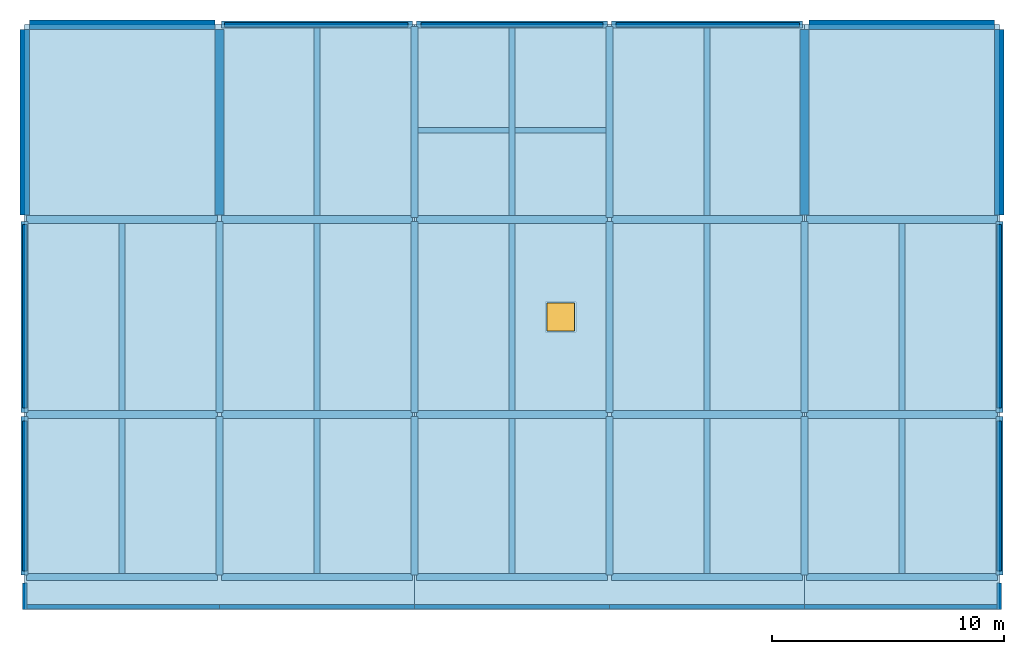
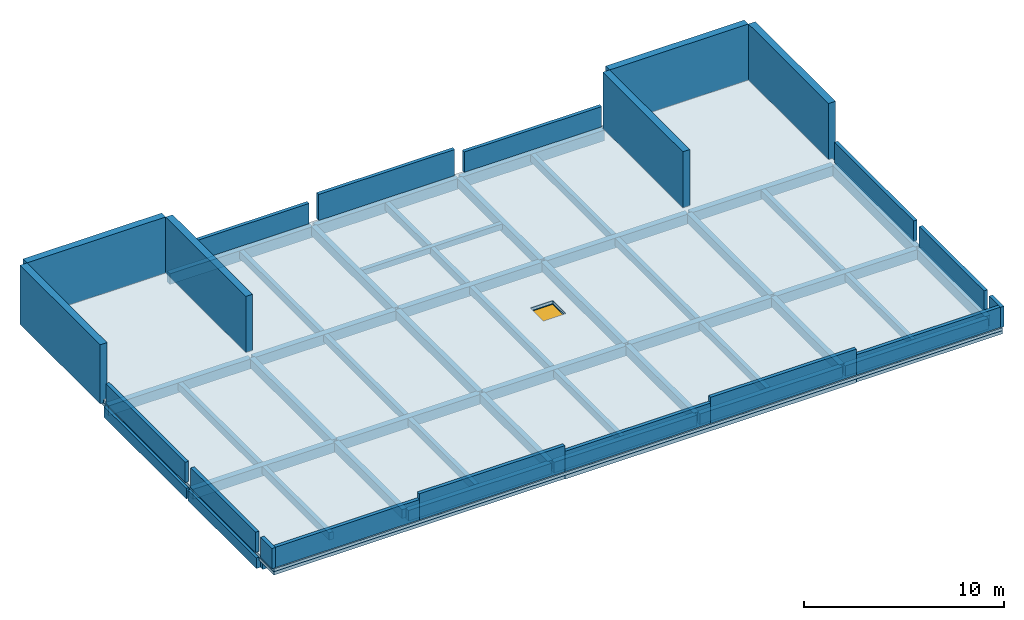
"""IFC4 building model written with IfcOpenShell, lengths in metres."""

from ifc_helpers import new_model, si_unit, direction, frame, frame_2d, origin, origin_2d, place, context, subcontext, project, spatial, polyline, rectangle, outline, extrude, material, layer, layer_set, material_profile, profile_set, type_object, element, fill, save


model = new_model("IFC4")

# Units and contexts
model_context = context("Model", 3, precision=1e-05, world=origin(), true_north=direction((0.0, 1.0)))
body_context = subcontext(model_context, "Body", "Model", "MODEL_VIEW")
ifc_project = project(units=[si_unit("LENGTHUNIT", "METRE"), si_unit("AREAUNIT", "SQUARE_METRE"), si_unit("VOLUMEUNIT", "CUBIC_METRE"), si_unit("PLANEANGLEUNIT", "RADIAN"), si_unit("MASSUNIT", "GRAM", prefix="KILO")], contexts=[model_context])

# Site, building, storey
site_placement = place(None, origin())
site = spatial("IfcSite", under=ifc_project, at=site_placement, CompositionType="ELEMENT")
building_placement = place(site_placement, origin())
building = spatial("IfcBuilding", under=site, at=building_placement, Name="Telukmera Botanical Conservatory", CompositionType="ELEMENT")
storey_1_placement = place(building_placement, frame((0.0, 0.0, 78.0)))
storey_1 = spatial("IfcBuildingStorey", under=building, at=storey_1_placement, Name="ROOF", CompositionType="ELEMENT", Elevation=78.0)

# Beams
ifc_material_1 = material(Name="Concrete C40/50", Category="concrete")
ifc_material_profile_1 = material_profile(ifc_material_1, rectangle(XDim=0.300048828125, YDim=0.550048828125, at=origin_2d()), Name="RC 300x550")
ifc_profile_set_1 = profile_set([ifc_material_profile_1], Name="Concrete C40/50")
beam_type_1 = type_object("IfcBeamType", Name="Beam_B10", PredefinedType="BEAM", material=ifc_profile_set_1)
beam_1_placement = place(storey_1_placement, frame((67.199951171875, 10.679931640625, -0.27490234375), z_axis=(0.0, 1.0, 0.0), x_axis=(-1.0, 0.0, 0.0)))
element("IfcBeam", 1, at=beam_1_placement, inside=storey_1, type_object=beam_type_1, Name="Tower Transverse Beam ROOF", PredefinedType="BEAM", context=body_context, shape_type="SweptSolid", body=[
    extrude(rectangle(XDim=0.300048828125, YDim=0.550048828125, at=origin_2d()), origin(), (0.0, 0.0, 1.0), 6.840087890625),
])
beam_2_placement = place(storey_1_placement, frame((67.199951171875, 17.679931640625, -0.27490234375), z_axis=(0.0, 1.0, 0.0), x_axis=(-1.0, 0.0, 0.0)))
element("IfcBeam", 2, at=beam_2_placement, inside=storey_1, type_object=beam_type_1, Name="Tower Transverse Beam ROOF", PredefinedType="BEAM", context=body_context, shape_type="SweptSolid", body=[
    extrude(rectangle(XDim=0.300048828125, YDim=0.550048828125, at=origin_2d()), origin(), (0.0, 0.0, 1.0), 8.239990234375),
])
beam_3_placement = place(storey_1_placement, frame((75.60009765625, 10.679931640625, -0.27490234375), z_axis=(0.0, 1.0, 0.0), x_axis=(-1.0, 0.0, 0.0)))
element("IfcBeam", 3, at=beam_3_placement, inside=storey_1, type_object=beam_type_1, Name="Tower Transverse Beam ROOF", PredefinedType="BEAM", context=body_context, shape_type="SweptSolid", body=[
    extrude(rectangle(XDim=0.300048828125, YDim=0.550048828125, at=origin_2d()), origin(), (0.0, 0.0, 1.0), 6.840087890625),
])
for number, where, z_axis, x_axis, name in (
    (4, (75.60009765625, 17.679931640625, -0.27490234375), (0.0, 1.0, 0.0), (-1.0, 0.0, 0.0), "Tower Transverse Beam ROOF"),
    (5, (75.60009765625, 26.080078125, -0.27490234375), (0.0, 1.0, 0.0), (-1.0, 0.0, 0.0), "Tower Transverse Beam ROOF"),
):
    element("IfcBeam", number, at=place(storey_1_placement, frame(where, z_axis=z_axis, x_axis=x_axis)), inside=storey_1, type_object=beam_type_1, Name=name, PredefinedType="BEAM", context=body_context, shape_type="SweptSolid", body=[
        extrude(rectangle(XDim=0.300048828125, YDim=0.550048828125, at=origin_2d()), origin(), (0.0, 0.0, 1.0), 8.239990234375),
    ])
beam_4_placement = place(storey_1_placement, frame((84.0, 10.679931640625, -0.27490234375), z_axis=(0.0, 1.0, 0.0), x_axis=(-1.0, 0.0, 0.0)))
element("IfcBeam", 6, at=beam_4_placement, inside=storey_1, type_object=beam_type_1, Name="Tower Transverse Beam ROOF", PredefinedType="BEAM", context=body_context, shape_type="SweptSolid", body=[
    extrude(rectangle(XDim=0.300048828125, YDim=0.550048828125, at=origin_2d()), origin(), (0.0, 0.0, 1.0), 6.840087890625),
])
for number, where, z_axis, x_axis, name in (
    (7, (84.0, 17.679931640625, -0.27490234375), (0.0, 1.0, 0.0), (-1.0, 0.0, 0.0), "Tower Transverse Beam ROOF"),
    (8, (84.0, 26.080078125, -0.27490234375), (0.0, 1.0, 0.0), (-1.0, 0.0, 0.0), "Tower Transverse Beam ROOF"),
):
    element("IfcBeam", number, at=place(storey_1_placement, frame(where, z_axis=z_axis, x_axis=x_axis)), inside=storey_1, type_object=beam_type_1, Name=name, PredefinedType="BEAM", context=body_context, shape_type="SweptSolid", body=[
        extrude(rectangle(XDim=0.300048828125, YDim=0.550048828125, at=origin_2d()), origin(), (0.0, 0.0, 1.0), 8.239990234375),
    ])
beam_5_placement = place(storey_1_placement, frame((92.39990234375, 10.679931640625, -0.27490234375), z_axis=(0.0, 1.0, 0.0), x_axis=(-1.0, 0.0, 0.0)))
element("IfcBeam", 9, at=beam_5_placement, inside=storey_1, type_object=beam_type_1, Name="Tower Transverse Beam ROOF", PredefinedType="BEAM", context=body_context, shape_type="SweptSolid", body=[
    extrude(rectangle(XDim=0.300048828125, YDim=0.550048828125, at=origin_2d()), origin(), (0.0, 0.0, 1.0), 6.840087890625),
])
beam_6_placement = place(storey_1_placement, frame((92.39990234375, 17.679931640625, -0.27490234375), z_axis=(0.0, 1.0, 0.0), x_axis=(-1.0, 0.0, 0.0)))
element("IfcBeam", 10, at=beam_6_placement, inside=storey_1, type_object=beam_type_1, Name="Tower Transverse Beam ROOF", PredefinedType="BEAM", context=body_context, shape_type="SweptSolid", body=[
    extrude(rectangle(XDim=0.300048828125, YDim=0.550048828125, at=origin_2d()), origin(), (0.0, 0.0, 1.0), 8.239990234375),
])
ifc_material_profile_2 = material_profile(ifc_material_1, rectangle(XDim=0.25, YDim=0.449951171875, at=origin_2d()), Name="RC 250x450")
ifc_profile_set_2 = profile_set([ifc_material_profile_2], Name="Concrete C40/50")
beam_type_2 = type_object("IfcBeamType", Name="Beam_B27", PredefinedType="JOIST", material=ifc_profile_set_2)
beam_7_placement = place(storey_1_placement, frame((63.0, 10.75, -0.22509765625), z_axis=(0.0, 1.0, 0.0), x_axis=(-1.0, 0.0, 0.0)))
element("IfcBeam", 11, at=beam_7_placement, inside=storey_1, type_object=beam_type_2, Name="Tower Secondary Floor Joist ROOF", PredefinedType="JOIST", context=body_context, shape_type="SweptSolid", body=[
    extrude(rectangle(XDim=0.25, YDim=0.449951171875, at=origin_2d()), origin(), (0.0, 0.0, 1.0), 6.675048828125),
])
beam_8_placement = place(storey_1_placement, frame((63.0, 17.77490234375, -0.22509765625), z_axis=(0.0, 1.0, 0.0), x_axis=(-1.0, 0.0, 0.0)))
element("IfcBeam", 12, at=beam_8_placement, inside=storey_1, type_object=beam_type_2, Name="Tower Secondary Floor Joist ROOF", PredefinedType="JOIST", context=body_context, shape_type="SweptSolid", body=[
    extrude(rectangle(XDim=0.25, YDim=0.449951171875, at=origin_2d()), origin(), (0.0, 0.0, 1.0), 8.050048828125),
])
beam_9_placement = place(storey_1_placement, frame((71.39990234375, 10.75, -0.22509765625), z_axis=(0.0, 1.0, 0.0), x_axis=(-1.0, 0.0, 0.0)))
element("IfcBeam", 13, at=beam_9_placement, inside=storey_1, type_object=beam_type_2, Name="Tower Secondary Floor Joist ROOF", PredefinedType="JOIST", context=body_context, shape_type="SweptSolid", body=[
    extrude(rectangle(XDim=0.25, YDim=0.449951171875, at=origin_2d()), origin(), (0.0, 0.0, 1.0), 6.675048828125),
])
beam_10_placement = place(storey_1_placement, frame((71.39990234375, 17.77490234375, -0.22509765625), z_axis=(0.0, 1.0, 0.0), x_axis=(-1.0, 0.0, 0.0)))
element("IfcBeam", 14, at=beam_10_placement, inside=storey_1, type_object=beam_type_2, Name="Tower Secondary Floor Joist ROOF", PredefinedType="JOIST", context=body_context, shape_type="SweptSolid", body=[
    extrude(rectangle(XDim=0.25, YDim=0.449951171875, at=origin_2d()), origin(), (0.0, 0.0, 1.0), 8.050048828125),
])
beam_11_placement = place(storey_1_placement, frame((71.39990234375, 26.175048828125, -0.22509765625), z_axis=(0.0, 1.0, 0.0), x_axis=(-1.0, 0.0, 0.0)))
element("IfcBeam", 15, at=beam_11_placement, inside=storey_1, type_object=beam_type_2, Name="Tower Secondary Floor Joist ROOF", PredefinedType="JOIST", context=body_context, shape_type="SweptSolid", body=[
    extrude(rectangle(XDim=0.25, YDim=0.449951171875, at=origin_2d()), origin(), (0.0, 0.0, 1.0), 8.074951171875),
])
beam_12_placement = place(storey_1_placement, frame((79.800048828125, 10.75, -0.22509765625), z_axis=(0.0, 1.0, 0.0), x_axis=(-1.0, 0.0, 0.0)))
element("IfcBeam", 16, at=beam_12_placement, inside=storey_1, type_object=beam_type_2, Name="Tower Secondary Floor Joist ROOF", PredefinedType="JOIST", context=body_context, shape_type="SweptSolid", body=[
    extrude(rectangle(XDim=0.25, YDim=0.449951171875, at=origin_2d()), origin(), (0.0, 0.0, 1.0), 6.675048828125),
])
beam_13_placement = place(storey_1_placement, frame((79.800048828125, 17.77490234375, -0.22509765625), z_axis=(0.0, 1.0, 0.0), x_axis=(-1.0, 0.0, 0.0)))
element("IfcBeam", 17, at=beam_13_placement, inside=storey_1, type_object=beam_type_2, Name="Tower Secondary Floor Joist ROOF", PredefinedType="JOIST", context=body_context, shape_type="SweptSolid", body=[
    extrude(rectangle(XDim=0.25, YDim=0.449951171875, at=origin_2d()), origin(), (0.0, 0.0, 1.0), 8.050048828125),
])
beam_14_placement = place(storey_1_placement, frame((79.800048828125, 26.175048828125, -0.22509765625), z_axis=(0.0, 1.0, 0.0), x_axis=(-1.0, 0.0, 0.0)))
element("IfcBeam", 18, at=beam_14_placement, inside=storey_1, type_object=beam_type_2, Name="Tower Secondary Floor Joist ROOF", PredefinedType="JOIST", context=body_context, shape_type="SweptSolid", body=[
    extrude(rectangle(XDim=0.25, YDim=0.449951171875, at=origin_2d()), origin(), (0.0, 0.0, 1.0), 8.074951171875),
])
beam_15_placement = place(storey_1_placement, frame((88.199951171875, 10.75, -0.22509765625), z_axis=(0.0, 1.0, 0.0), x_axis=(-1.0, 0.0, 0.0)))
element("IfcBeam", 19, at=beam_15_placement, inside=storey_1, type_object=beam_type_2, Name="Tower Secondary Floor Joist ROOF", PredefinedType="JOIST", context=body_context, shape_type="SweptSolid", body=[
    extrude(rectangle(XDim=0.25, YDim=0.449951171875, at=origin_2d()), origin(), (0.0, 0.0, 1.0), 6.675048828125),
])
beam_16_placement = place(storey_1_placement, frame((88.199951171875, 17.77490234375, -0.22509765625), z_axis=(0.0, 1.0, 0.0), x_axis=(-1.0, 0.0, 0.0)))
element("IfcBeam", 20, at=beam_16_placement, inside=storey_1, type_object=beam_type_2, Name="Tower Secondary Floor Joist ROOF", PredefinedType="JOIST", context=body_context, shape_type="SweptSolid", body=[
    extrude(rectangle(XDim=0.25, YDim=0.449951171875, at=origin_2d()), origin(), (0.0, 0.0, 1.0), 8.050048828125),
])
beam_17_placement = place(storey_1_placement, frame((88.199951171875, 26.175048828125, -0.22509765625), z_axis=(0.0, 1.0, 0.0), x_axis=(-1.0, 0.0, 0.0)))
element("IfcBeam", 21, at=beam_17_placement, inside=storey_1, type_object=beam_type_2, Name="Tower Secondary Floor Joist ROOF", PredefinedType="JOIST", context=body_context, shape_type="SweptSolid", body=[
    extrude(rectangle(XDim=0.25, YDim=0.449951171875, at=origin_2d()), origin(), (0.0, 0.0, 1.0), 8.074951171875),
])
beam_18_placement = place(storey_1_placement, frame((96.60009765625, 10.75, -0.22509765625), z_axis=(0.0, 1.0, 0.0), x_axis=(-1.0, 0.0, 0.0)))
element("IfcBeam", 22, at=beam_18_placement, inside=storey_1, type_object=beam_type_2, Name="Tower Secondary Floor Joist ROOF", PredefinedType="JOIST", context=body_context, shape_type="SweptSolid", body=[
    extrude(rectangle(XDim=0.25, YDim=0.449951171875, at=origin_2d()), origin(), (0.0, 0.0, 1.0), 6.675048828125),
])
beam_19_placement = place(storey_1_placement, frame((96.60009765625, 17.77490234375, -0.22509765625), z_axis=(0.0, 1.0, 0.0), x_axis=(-1.0, 0.0, 0.0)))
element("IfcBeam", 23, at=beam_19_placement, inside=storey_1, type_object=beam_type_2, Name="Tower Secondary Floor Joist ROOF", PredefinedType="JOIST", context=body_context, shape_type="SweptSolid", body=[
    extrude(rectangle(XDim=0.25, YDim=0.449951171875, at=origin_2d()), origin(), (0.0, 0.0, 1.0), 8.050048828125),
])
ifc_material_profile_3 = material_profile(ifc_material_1, rectangle(XDim=0.35009765625, YDim=0.60009765625, at=origin_2d()), Name="RC 350x600")
ifc_profile_set_3 = profile_set([ifc_material_profile_3], Name="Concrete C40/50")
beam_type_3 = type_object("IfcBeamType", Name="Beam_B9", PredefinedType="BEAM", material=ifc_profile_set_3)
beam_20_placement = place(storey_1_placement, frame((58.8798828125, 17.60009765625, -0.300048828125), z_axis=(1.0, 0.0, 0.0), x_axis=(0.0, 1.0, 0.0)))
element("IfcBeam", 24, at=beam_20_placement, inside=storey_1, type_object=beam_type_3, Name="Tower Grid Beam ROOF", PredefinedType="BEAM", context=body_context, shape_type="SweptSolid", body=[
    extrude(rectangle(XDim=0.35009765625, YDim=0.60009765625, at=origin_2d()), origin(), (0.0, 0.0, 1.0), 8.240234375),
])
for number, where, z_axis, x_axis, name in (
    (25, (67.280029296875, 17.60009765625, -0.300048828125), (1.0, 0.0, 0.0), (0.0, 1.0, 0.0), "Tower Grid Beam ROOF"),
    (26, (75.679931640625, 17.60009765625, -0.300048828125), (1.0, 0.0, 0.0), (0.0, 1.0, 0.0), "Tower Grid Beam ROOF"),
    (27, (84.080078125, 17.60009765625, -0.300048828125), (1.0, 0.0, 0.0), (0.0, 1.0, 0.0), "Tower Grid Beam ROOF"),
    (28, (92.47998046875, 17.60009765625, -0.300048828125), (1.0, 0.0, 0.0), (0.0, 1.0, 0.0), "Tower Grid Beam ROOF"),
):
    element("IfcBeam", number, at=place(storey_1_placement, frame(where, z_axis=z_axis, x_axis=x_axis)), inside=storey_1, type_object=beam_type_3, Name=name, PredefinedType="BEAM", context=body_context, shape_type="SweptSolid", body=[
        extrude(rectangle(XDim=0.35009765625, YDim=0.60009765625, at=origin_2d()), origin(), (0.0, 0.0, 1.0), 8.239990234375),
    ])
beam_21_placement = place(storey_1_placement, frame((58.8798828125, 26.0, -0.300048828125), z_axis=(1.0, 0.0, 0.0), x_axis=(0.0, 1.0, 0.0)))
element("IfcBeam", 29, at=beam_21_placement, inside=storey_1, type_object=beam_type_3, Name="Tower Grid Beam ROOF", PredefinedType="BEAM", context=body_context, shape_type="SweptSolid", body=[
    extrude(rectangle(XDim=0.35009765625, YDim=0.60009765625, at=origin_2d()), origin(), (0.0, 0.0, 1.0), 8.240234375),
])
for number, where, z_axis, x_axis, name in (
    (30, (67.280029296875, 26.0, -0.300048828125), (1.0, 0.0, 0.0), (0.0, 1.0, 0.0), "Tower Grid Beam ROOF"),
    (31, (75.679931640625, 26.0, -0.300048828125), (1.0, 0.0, 0.0), (0.0, 1.0, 0.0), "Tower Grid Beam ROOF"),
    (32, (84.080078125, 26.0, -0.300048828125), (1.0, 0.0, 0.0), (0.0, 1.0, 0.0), "Tower Grid Beam ROOF"),
    (33, (92.47998046875, 26.0, -0.300048828125), (1.0, 0.0, 0.0), (0.0, 1.0, 0.0), "Tower Grid Beam ROOF"),
):
    element("IfcBeam", number, at=place(storey_1_placement, frame(where, z_axis=z_axis, x_axis=x_axis)), inside=storey_1, type_object=beam_type_3, Name=name, PredefinedType="BEAM", context=body_context, shape_type="SweptSolid", body=[
        extrude(rectangle(XDim=0.35009765625, YDim=0.60009765625, at=origin_2d()), origin(), (0.0, 0.0, 1.0), 8.239990234375),
    ])
ifc_material_2 = material(Name="Precast concrete C40/50", Category="concrete")
ifc_material_profile_4 = material_profile(ifc_material_2, rectangle(XDim=0.25, YDim=0.35009765625, at=origin_2d()), Name="PC 250x350")
ifc_profile_set_4 = profile_set([ifc_material_profile_4], Name="Precast concrete C40/50")
beam_type_4 = type_object("IfcBeamType", Name="Beam_LN2", PredefinedType="LINTEL", material=ifc_profile_set_4)
beam_22_placement = place(storey_1_placement, frame((75.75, 29.85009765625, -0.175048828125), z_axis=(1.0, 0.0, 0.0), x_axis=(0.0, 1.0, 0.0)))
element("IfcBeam", 34, at=beam_22_placement, inside=storey_1, type_object=beam_type_4, Name="Tower Lift Bank Header Lintel ROOF", PredefinedType="LINTEL", context=body_context, shape_type="SweptSolid", body=[
    extrude(rectangle(XDim=0.25, YDim=0.35009765625, at=origin_2d()), origin(), (0.0, 0.0, 1.0), 8.10009765625),
])
ifc_material_profile_5 = material_profile(ifc_material_2, rectangle(XDim=0.300048828125, YDim=0.64990234375, at=origin_2d()), Name="PC 300x650")
ifc_profile_set_5 = profile_set([ifc_material_profile_5], Name="Precast concrete C40/50")
beam_type_5 = type_object("IfcBeamType", Name="Beam_SP4", PredefinedType="SPANDREL", material=ifc_profile_set_5)
beam_23_placement = place(storey_1_placement, frame((58.8798828125, 10.60009765625, -0.324951171875), z_axis=(1.0, 0.0, 0.0), x_axis=(0.0, 1.0, 0.0)))
element("IfcBeam", 35, at=beam_23_placement, inside=storey_1, type_object=beam_type_5, Name="Tower Grid Beam ROOF", PredefinedType="SPANDREL", context=body_context, shape_type="SweptSolid", body=[
    extrude(rectangle(XDim=0.300048828125, YDim=0.64990234375, at=origin_2d()), origin(), (0.0, 0.0, 1.0), 8.240234375),
])
for number, where, z_axis, x_axis, name in (
    (36, (67.280029296875, 10.60009765625, -0.324951171875), (1.0, 0.0, 0.0), (0.0, 1.0, 0.0), "Tower Grid Beam ROOF"),
    (37, (75.679931640625, 10.60009765625, -0.324951171875), (1.0, 0.0, 0.0), (0.0, 1.0, 0.0), "Tower Grid Beam ROOF"),
    (38, (84.080078125, 10.60009765625, -0.324951171875), (1.0, 0.0, 0.0), (0.0, 1.0, 0.0), "Tower Grid Beam ROOF"),
    (39, (92.47998046875, 10.60009765625, -0.324951171875), (1.0, 0.0, 0.0), (0.0, 1.0, 0.0), "Tower Grid Beam ROOF"),
    (40, (67.280029296875, 34.39990234375, -0.324951171875), (1.0, 0.0, 0.0), (0.0, 1.0, 0.0), "Tower Grid Beam ROOF"),
    (41, (75.679931640625, 34.39990234375, -0.324951171875), (1.0, 0.0, 0.0), (0.0, 1.0, 0.0), "Tower Grid Beam ROOF"),
    (42, (84.080078125, 34.39990234375, -0.324951171875), (1.0, 0.0, 0.0), (0.0, 1.0, 0.0), "Tower Grid Beam ROOF"),
):
    element("IfcBeam", number, at=place(storey_1_placement, frame(where, z_axis=z_axis, x_axis=x_axis)), inside=storey_1, type_object=beam_type_5, Name=name, PredefinedType="SPANDREL", context=body_context, shape_type="SweptSolid", body=[
        extrude(rectangle(XDim=0.300048828125, YDim=0.64990234375, at=origin_2d()), origin(), (0.0, 0.0, 1.0), 8.239990234375),
    ])
beam_24_placement = place(storey_1_placement, frame((58.800048828125, 10.679931640625, -0.324951171875), z_axis=(0.0, 1.0, 0.0), x_axis=(-1.0, 0.0, 0.0)))
element("IfcBeam", 43, at=beam_24_placement, inside=storey_1, type_object=beam_type_5, Name="Tower Transverse Beam ROOF", PredefinedType="SPANDREL", context=body_context, shape_type="SweptSolid", body=[
    extrude(rectangle(XDim=0.300048828125, YDim=0.64990234375, at=origin_2d()), origin(), (0.0, 0.0, 1.0), 6.840087890625),
])
beam_25_placement = place(storey_1_placement, frame((58.800048828125, 17.679931640625, -0.324951171875), z_axis=(0.0, 1.0, 0.0), x_axis=(-1.0, 0.0, 0.0)))
element("IfcBeam", 44, at=beam_25_placement, inside=storey_1, type_object=beam_type_5, Name="Tower Transverse Beam ROOF", PredefinedType="SPANDREL", context=body_context, shape_type="SweptSolid", body=[
    extrude(rectangle(XDim=0.300048828125, YDim=0.64990234375, at=origin_2d()), origin(), (0.0, 0.0, 1.0), 8.239990234375),
])
beam_26_placement = place(storey_1_placement, frame((100.800048828125, 10.679931640625, -0.324951171875), z_axis=(0.0, 1.0, 0.0), x_axis=(-1.0, 0.0, 0.0)))
element("IfcBeam", 45, at=beam_26_placement, inside=storey_1, type_object=beam_type_5, Name="Tower Transverse Beam ROOF", PredefinedType="SPANDREL", context=body_context, shape_type="SweptSolid", body=[
    extrude(rectangle(XDim=0.300048828125, YDim=0.64990234375, at=origin_2d()), origin(), (0.0, 0.0, 1.0), 6.840087890625),
])
beam_27_placement = place(storey_1_placement, frame((100.800048828125, 17.679931640625, -0.324951171875), z_axis=(0.0, 1.0, 0.0), x_axis=(-1.0, 0.0, 0.0)))
element("IfcBeam", 46, at=beam_27_placement, inside=storey_1, type_object=beam_type_5, Name="Tower Transverse Beam ROOF", PredefinedType="SPANDREL", context=body_context, shape_type="SweptSolid", body=[
    extrude(rectangle(XDim=0.300048828125, YDim=0.64990234375, at=origin_2d()), origin(), (0.0, 0.0, 1.0), 8.239990234375),
])

# Slabs
ifc_layer_1 = layer(ifc_material_1, 0.199951171875)
ifc_layer_set_1 = layer_set([ifc_layer_1], Name="Concrete C40/50")
slab_type_1 = type_object("IfcSlabType", Name="Slab_RS20", PredefinedType="ROOF", material=ifc_layer_set_1)
slab_1_placement = place(storey_1_placement, frame((0.0, 0.0, -0.199951171875)))
element("IfcSlab", 47, at=slab_1_placement, inside=storey_1, type_object=slab_type_1, Name="Tower Main Roof Slab (WEST)", PredefinedType="ROOF", context=body_context, shape_type="SweptSolid", body=[
    extrude(outline(polyline([(58.800048828125, 9.199951171875), (75.60009765625, 9.199951171875), (75.60009765625, 34.39990234375), (58.800048828125, 34.39990234375), (58.800048828125, 9.199951171875)])), origin(), (0.0, 0.0, 1.0), 0.199951171875),
])
slab_2_placement = place(storey_1_placement, frame((0.0, 0.0, -0.199951171875)))
element("IfcSlab", 48, at=slab_2_placement, inside=storey_1, type_object=slab_type_1, Name="Tower Main Roof Slab (EAST)", PredefinedType="ROOF", context=body_context, shape_type="SweptSolid", body=[
    extrude(outline(polyline([(92.39990234375, 9.199951171875), (100.800048828125, 9.199951171875), (100.800048828125, 34.39990234375), (92.39990234375, 34.39990234375), (92.39990234375, 9.199951171875)])), origin(), (0.0, 0.0, 1.0), 0.199951171875),
])

# Slab, opening
ifc_layer_2 = layer(ifc_material_1, 0.22998046875)
ifc_layer_set_2 = layer_set([ifc_layer_2], Name="Concrete C40/50")
slab_type_2 = type_object("IfcSlabType", Name="Slab_RS23", PredefinedType="ROOF", material=ifc_layer_set_2)
slab_3_placement = place(storey_1_placement, frame((0.0, 0.0, -0.22998046875)))
slab_3 = element("IfcSlab", 49, at=slab_3_placement, inside=storey_1, type_object=slab_type_2, Name="Tower Main Roof Slab (CENT)", PredefinedType="ROOF", context=body_context, shape_type="SweptSolid", body=[
    extrude(outline(polyline([(75.60009765625, 9.199951171875), (92.39990234375, 9.199951171875), (92.39990234375, 34.39990234375), (75.60009765625, 34.39990234375), (75.60009765625, 9.199951171875)])), origin(), (0.0, 0.0, 1.0), 0.22998046875),
])
opening_placement = place(slab_3_placement, frame((81.89990234375, 21.800048828125, 0.0)))
opening = element("IfcOpeningElement", 50, at=opening_placement, cuts=slab_3, Name="Opening RH01", PredefinedType="OPENING", context=body_context, shape_type="SweptSolid", body=[
    extrude(rectangle(XDim=1.199951171875, YDim=1.199951171875, at=origin_2d()), frame((0.0, 0.0, -0.010009765625)), (0.0, 0.0, 1.0), 0.25),
])

# Storey
storey_2_placement = place(building_placement, frame((0.0, 0.0, 73.5)))
storey_2 = spatial("IfcBuildingStorey", under=building, at=storey_2_placement, Name="L16", CompositionType="ELEMENT", Elevation=73.5)

# Window
ifc_material_3 = material(Name="Thermally broken anodised aluminium frame with low-E double glazing", Category="aluminium")
window_type = type_object("IfcWindowType", Name="Insulated Tower Roof Maintenance Skylight Hatch 1200x1200", PartitioningType="SINGLE_PANEL", PredefinedType="SKYLIGHT", material=ifc_material_3)
window_placement = place(opening_placement, frame((0.0, 0.0, 0.179931640625)))
window = element("IfcWindow", 51, at=window_placement, inside=storey_2, type_object=window_type, Name="Tower Main Roof Access Skylight Hatch RH01", OverallHeight=1.199951171875, OverallWidth=1.199951171875, PartitioningType="SINGLE_PANEL", PredefinedType="SKYLIGHT", context=body_context, shape_type="SweptSolid", body=[
    extrude(rectangle(XDim=1.199951171875, YDim=1.199951171875, at=origin_2d()), origin(), (0.0, 0.0, 1.0), 0.050048828125),
])

fill(opening, window)

# Walls
ifc_layer_3 = layer(ifc_material_2, 0.199951171875)
ifc_layer_set_3 = layer_set([ifc_layer_3], Name="Precast concrete C40/50")
wall_type_1 = type_object("IfcWallType", Name="Postmodern Stepped Tower Precast Parapet Wall 200", PredefinedType="PARAPET", material=ifc_layer_set_3)
wall_1_placement = place(storey_1_placement, frame((58.802001953125, 9.320068359375, 0.2099609375), z_axis=(0.0, 0.0, 1.0), x_axis=(1.0, 0.0, 0.0)))
element("IfcWall", 52, at=wall_1_placement, inside=storey_1, type_object=wall_type_1, Name="Stepped Roof Parapet PW01 V4:ROOF:S 1", PredefinedType="PARAPET", context=body_context, shape_type="SweptSolid", body=[
    extrude(rectangle(XDim=8.39599609375, YDim=0.199951171875, at=frame_2d((4.197998046875, 0.0))), origin(), (0.0, 0.0, 1.0), 1.239990234375),
])
wall_2_placement = place(storey_1_placement, frame((67.201904296875, 9.320068359375, 0.2099609375), z_axis=(0.0, 0.0, 1.0), x_axis=(1.0, 0.0, 0.0)))
element("IfcWall", 53, at=wall_2_placement, inside=storey_1, type_object=wall_type_1, Name="Stepped Roof Parapet PW01 V4:ROOF:S 2", PredefinedType="PARAPET", context=body_context, shape_type="SweptSolid", body=[
    extrude(rectangle(XDim=8.39599609375, YDim=0.199951171875, at=frame_2d((4.197998046875, 0.0))), origin(), (0.0, 0.0, 1.0), 1.590087890625),
])
wall_3_placement = place(storey_1_placement, frame((75.60205078125, 9.320068359375, 0.2099609375), z_axis=(0.0, 0.0, 1.0), x_axis=(1.0, 0.0, 0.0)))
element("IfcWall", 54, at=wall_3_placement, inside=storey_1, type_object=wall_type_1, Name="Stepped Roof Parapet PW01 V4:ROOF:S 3", PredefinedType="PARAPET", context=body_context, shape_type="SweptSolid", body=[
    extrude(rectangle(XDim=8.39599609375, YDim=0.199951171875, at=frame_2d((4.197998046875, 0.0))), origin(), (0.0, 0.0, 1.0), 1.239990234375),
])
wall_4_placement = place(storey_1_placement, frame((84.001953125, 9.320068359375, 0.2099609375), z_axis=(0.0, 0.0, 1.0), x_axis=(1.0, 0.0, 0.0)))
element("IfcWall", 55, at=wall_4_placement, inside=storey_1, type_object=wall_type_1, Name="Stepped Roof Parapet PW01 V4:ROOF:S 4", PredefinedType="PARAPET", context=body_context, shape_type="SweptSolid", body=[
    extrude(rectangle(XDim=8.39599609375, YDim=0.199951171875, at=frame_2d((4.197998046875, 0.0))), origin(), (0.0, 0.0, 1.0), 1.590087890625),
])
wall_5_placement = place(storey_1_placement, frame((92.402099609375, 9.320068359375, 0.2099609375), z_axis=(0.0, 0.0, 1.0), x_axis=(1.0, 0.0, 0.0)))
element("IfcWall", 56, at=wall_5_placement, inside=storey_1, type_object=wall_type_1, Name="Stepped Roof Parapet PW01 V4:ROOF:S 5", PredefinedType="PARAPET", context=body_context, shape_type="SweptSolid", body=[
    extrude(rectangle(XDim=8.39599609375, YDim=0.199951171875, at=frame_2d((4.197998046875, 0.0))), origin(), (0.0, 0.0, 1.0), 1.239990234375),
])
wall_6_placement = place(storey_1_placement, frame((67.402099609375, 34.39990234375, 0.2099609375), z_axis=(0.0, 0.0, 1.0), x_axis=(1.0, 0.0, 0.0)))
element("IfcWall", 57, at=wall_6_placement, inside=storey_1, type_object=wall_type_1, Name="Stepped Roof Parapet PW01 V4:ROOF:N 1", PredefinedType="PARAPET", context=body_context, shape_type="SweptSolid", body=[
    extrude(rectangle(XDim=7.9208984375, YDim=0.199951171875, at=frame_2d((3.96044921875, 0.0))), origin(), (0.0, 0.0, 1.0), 1.239990234375),
])
wall_7_placement = place(storey_1_placement, frame((75.876953125, 34.39990234375, 0.2099609375), z_axis=(0.0, 0.0, 1.0), x_axis=(1.0, 0.0, 0.0)))
element("IfcWall", 58, at=wall_7_placement, inside=storey_1, type_object=wall_type_1, Name="Stepped Roof Parapet PW01 V4:ROOF:N 2", PredefinedType="PARAPET", context=body_context, shape_type="SweptSolid", body=[
    extrude(rectangle(XDim=7.845947265625, YDim=0.199951171875, at=frame_2d((3.9228515625, 0.0))), origin(), (0.0, 0.0, 1.0), 1.590087890625),
])
wall_8_placement = place(storey_1_placement, frame((84.277099609375, 34.39990234375, 0.2099609375), z_axis=(0.0, 0.0, 1.0), x_axis=(1.0, 0.0, 0.0)))
element("IfcWall", 59, at=wall_8_placement, inside=storey_1, type_object=wall_type_1, Name="Stepped Roof Parapet PW01 V4:ROOF:N 3", PredefinedType="PARAPET", context=body_context, shape_type="SweptSolid", body=[
    extrude(rectangle(XDim=7.9208984375, YDim=0.199951171875, at=frame_2d((3.96044921875, 0.0))), origin(), (0.0, 0.0, 1.0), 1.239990234375),
])
wall_9_placement = place(storey_1_placement, frame((58.800048828125, 10.85205078125, 0.2099609375), z_axis=(0.0, 0.0, 1.0), x_axis=(0.0, 1.0, 0.0)))
element("IfcWall", 60, at=wall_9_placement, inside=storey_1, type_object=wall_type_1, Name="Stepped Roof Parapet PW01 V4:ROOF:W 1", PredefinedType="PARAPET", context=body_context, shape_type="SweptSolid", body=[
    extrude(rectangle(XDim=6.470947265625, YDim=0.199951171875, at=frame_2d((3.2353515625, 0.0))), origin(), (0.0, 0.0, 1.0), 1.239990234375),
])
wall_10_placement = place(storey_1_placement, frame((58.800048828125, 17.876953125, 0.2099609375), z_axis=(0.0, 0.0, 1.0), x_axis=(0.0, 1.0, 0.0)))
element("IfcWall", 61, at=wall_10_placement, inside=storey_1, type_object=wall_type_1, Name="Stepped Roof Parapet PW01 V4:ROOF:W 2", PredefinedType="PARAPET", context=body_context, shape_type="SweptSolid", body=[
    extrude(rectangle(XDim=7.921142578125, YDim=0.199951171875, at=frame_2d((3.96044921875, 0.0))), origin(), (0.0, 0.0, 1.0), 1.239990234375),
])
wall_11_placement = place(storey_1_placement, frame((100.800048828125, 10.85205078125, 0.2099609375), z_axis=(0.0, 0.0, 1.0), x_axis=(0.0, 1.0, 0.0)))
element("IfcWall", 62, at=wall_11_placement, inside=storey_1, type_object=wall_type_1, Name="Stepped Roof Parapet PW01 V4:ROOF:E 1", PredefinedType="PARAPET", context=body_context, shape_type="SweptSolid", body=[
    extrude(rectangle(XDim=6.470947265625, YDim=0.199951171875, at=frame_2d((3.2353515625, 0.0))), origin(), (0.0, 0.0, 1.0), 1.239990234375),
])
wall_12_placement = place(storey_1_placement, frame((100.800048828125, 17.876953125, 0.2099609375), z_axis=(0.0, 0.0, 1.0), x_axis=(0.0, 1.0, 0.0)))
element("IfcWall", 63, at=wall_12_placement, inside=storey_1, type_object=wall_type_1, Name="Stepped Roof Parapet PW01 V4:ROOF:E 2", PredefinedType="PARAPET", context=body_context, shape_type="SweptSolid", body=[
    extrude(rectangle(XDim=7.921142578125, YDim=0.199951171875, at=frame_2d((3.96044921875, 0.0))), origin(), (0.0, 0.0, 1.0), 1.239990234375),
])
for number, where, z_axis, x_axis, name in (
    (64, (58.800048828125, 9.199951171875, 0.2099609375), (0.0, 0.0, 1.0), (0.0, 1.0, 0.0), "Stepped Roof Parapet PW01 V4:ROOF:SW"),
    (65, (100.800048828125, 9.199951171875, 0.2099609375), (0.0, 0.0, 1.0), (0.0, 1.0, 0.0), "Stepped Roof Parapet PW01 V4:ROOF:SE"),
):
    element("IfcWall", number, at=place(storey_1_placement, frame(where, z_axis=z_axis, x_axis=x_axis)), inside=storey_1, type_object=wall_type_1, Name=name, PredefinedType="PARAPET", context=body_context, shape_type="SweptSolid", body=[
        extrude(rectangle(XDim=1.14013671875, YDim=0.199951171875, at=frame_2d((0.570068359375, 0.0))), origin(), (0.0, 0.0, 1.0), 1.239990234375),
    ])
ifc_material_4 = material(Name="Concrete C50/60", Category="concrete")
ifc_layer_4 = layer(ifc_material_4, 0.39990234375)
ifc_layer_set_4 = layer_set([ifc_layer_4], Name="Concrete C50/60")
wall_type_2 = type_object("IfcWallType", Name="Wall_CW1", PredefinedType="SHEAR", material=ifc_layer_set_4)
for number, where, z_axis, x_axis, name in (
    (66, (58.800048828125, 26.199951171875, 0.0), (0.0, 0.0, 1.0), (0.0, 1.0, 0.0), "Core C1 Shear Wall West ROOF"),
    (67, (67.199951171875, 26.199951171875, 0.0), (0.0, 0.0, 1.0), (0.0, 1.0, 0.0), "Core C1 Shear Wall East ROOF"),
    (68, (59.0, 34.39990234375, 0.0), (0.0, 0.0, 1.0), (1.0, 0.0, 0.0), "Core C1 Shear Wall North ROOF"),
    (69, (92.39990234375, 26.199951171875, 0.0), (0.0, 0.0, 1.0), (0.0, 1.0, 0.0), "Core C2 Shear Wall West ROOF"),
    (70, (100.800048828125, 26.199951171875, 0.0), (0.0, 0.0, 1.0), (0.0, 1.0, 0.0), "Core C2 Shear Wall East ROOF"),
    (71, (92.60009765625, 34.39990234375, 0.0), (0.0, 0.0, 1.0), (1.0, 0.0, 0.0), "Core C2 Shear Wall North ROOF"),
):
    element("IfcWall", number, at=place(storey_1_placement, frame(where, z_axis=z_axis, x_axis=x_axis)), inside=storey_1, type_object=wall_type_2, Name=name, PredefinedType="SHEAR", context=body_context, shape_type="SweptSolid", body=[
        extrude(rectangle(XDim=8.0, YDim=0.39990234375, at=frame_2d((4.0, 0.0))), origin(), (0.0, 0.0, 1.0), 3.60009765625),
    ])

# Roof
ifc_material_5 = material(Name="Insulated reinforced concrete roof assembly C40/50", Category="concrete")
ifc_layer_5 = layer(ifc_material_5, 0.179931640625)
ifc_layer_set_5 = layer_set([ifc_layer_5], Name="Insulated reinforced concrete roof assembly C40/50")
roof_type = type_object("IfcRoofType", Name="Heavyweight Insulated Concrete Flat Roof", PredefinedType="FLAT_ROOF", material=ifc_layer_set_5)
roof_placement = place(storey_1_placement, origin())
element("IfcRoof", 72, at=roof_placement, inside=storey_1, type_object=roof_type, Name="Tower Main Crown Insulated Concrete Flat Roof", PredefinedType="FLAT_ROOF", context=body_context, shape_type="SweptSolid", body=[
    extrude(outline(polyline([(58.800048828125, 9.199951171875), (100.800048828125, 9.199951171875), (100.800048828125, 34.39990234375), (58.800048828125, 34.39990234375), (58.800048828125, 9.199951171875)]), holes=[polyline([(81.25, 21.14990234375), (82.550048828125, 21.14990234375), (82.550048828125, 22.449951171875), (81.25, 22.449951171875), (81.25, 21.14990234375)])]), origin(), (0.0, 0.0, 1.0), 0.179931640625),
])

save(model, "model.ifc")
